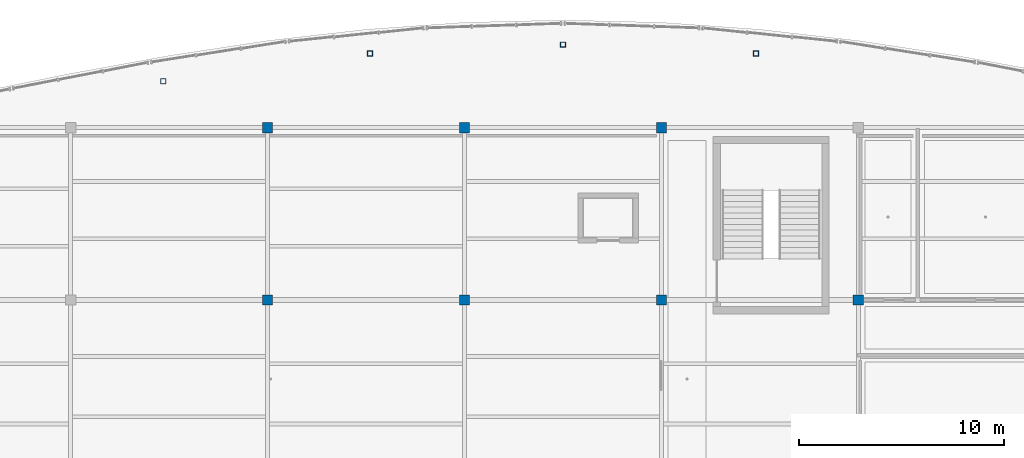
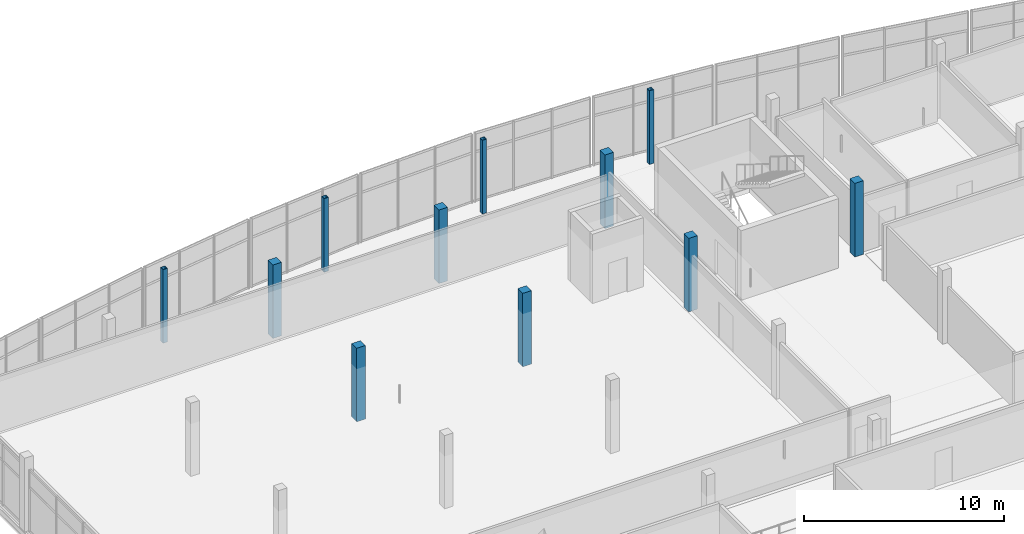
# One storey, part 11 of 114: 11 columns.
"""IFC4 building model written with IfcOpenShell, lengths in metres."""

from ifc_helpers import new_model, si_unit, direction, frame, origin, origin_2d, place, context, subcontext, project, spatial, rectangle, hollow_rectangle, extrude, material, material_profile, profile_set, type_object, element, save


model = new_model("IFC4")

# Units and contexts
model_context = context("Model", 3, precision=1e-05, world=origin(), true_north=direction((0.0, 1.0)))
body_context = subcontext(model_context, "Body", "Model", "MODEL_VIEW")
ifc_project = project(units=[si_unit("LENGTHUNIT", "METRE"), si_unit("AREAUNIT", "SQUARE_METRE"), si_unit("VOLUMEUNIT", "CUBIC_METRE"), si_unit("PLANEANGLEUNIT", "RADIAN"), si_unit("MASSUNIT", "GRAM", prefix="KILO")], contexts=[model_context])

# Site, building, storey
site_placement = place(None, origin())
site = spatial("IfcSite", under=ifc_project, at=site_placement, CompositionType="ELEMENT")
building_placement = place(site_placement, origin())
building = spatial("IfcBuilding", under=site, at=building_placement, Name="Chalmorin Arch Market", CompositionType="ELEMENT")
storey_placement = place(building_placement, frame((0.0, 0.0, 9.60009765625)))
storey = spatial("IfcBuildingStorey", under=building, at=storey_placement, Name="L02", CompositionType="ELEMENT", Elevation=9.60009765625)

# Columns
ifc_material_1 = material(Name="Steel A500 Grade C", Category="steel")
ifc_material_profile_1 = material_profile(ifc_material_1, hollow_rectangle(XDim=0.25390625, YDim=0.25390625, WallThickness=0.01171875, at=origin_2d()), Name="HSS10X10X1/2")
ifc_profile_set_1 = profile_set([ifc_material_profile_1], Name="Steel A500 Grade C")
column_type_1 = type_object("IfcColumnType", Name="SteelTubeColumn-HSS10X10", PredefinedType="COLUMN", material=ifc_profile_set_1)
for number, where, z_axis, x_axis, name in (
    (1, (62.112060546875, 120.26904296875, 0.0), (0.0, 0.0, 1.0), (1.0, 0.0, 0.0), "C-HS2-706"),
    (2, (72.19189453125, 121.612060546875, 0.0), (0.0, 0.0, 1.0), (1.0, 0.0, 0.0), "C-HS2-714"),
    (3, (81.60009765625, 122.050048828125, 0.0), (0.0, 0.0, 1.0), (1.0, 0.0, 0.0), "C-HS2-722"),
    (4, (91.008056640625, 121.612060546875, 0.0), (0.0, 0.0, 1.0), (1.0, 0.0, 0.0), "C-HS2-730"),
):
    element("IfcColumn", number, at=place(storey_placement, frame(where, z_axis=z_axis, x_axis=x_axis)), inside=storey, type_object=column_type_1, Name=name, PredefinedType="COLUMN", context=body_context, shape_type="SweptSolid", body=[
        extrude(hollow_rectangle(XDim=0.25390625, YDim=0.25390625, WallThickness=0.01171875, at=origin_2d()), origin(), (0.0, 0.0, 1.0), 4.5),
    ])
ifc_material_2 = material(Name="Concrete C40/50", Category="concrete")
ifc_material_profile_2 = material_profile(ifc_material_2, rectangle(XDim=0.5, YDim=0.5, at=origin_2d()), Name="RC500X500")
ifc_profile_set_2 = profile_set([ifc_material_profile_2], Name="Concrete C40/50")
column_type_2 = type_object("IfcColumnType", Name="UpperConcreteColumn-500x500", PredefinedType="COLUMN", material=ifc_profile_set_2)
for number, where, z_axis, x_axis, name in (
    (5, (67.199951171875, 109.60009765625, 0.0), (0.0, 0.0, 1.0), (1.0, 0.0, 0.0), "C-RC3-358"),
    (6, (67.199951171875, 118.0, 0.0), (0.0, 0.0, 1.0), (1.0, 0.0, 0.0), "C-RC3-363"),
    (7, (76.800048828125, 109.60009765625, 0.0), (0.0, 0.0, 1.0), (1.0, 0.0, 0.0), "C-RC3-413"),
    (8, (76.800048828125, 118.0, 0.0), (0.0, 0.0, 1.0), (1.0, 0.0, 0.0), "C-RC3-418"),
    (9, (86.39990234375, 109.60009765625, 0.0), (0.0, 0.0, 1.0), (1.0, 0.0, 0.0), "C-RC3-468"),
    (10, (86.39990234375, 118.0, 0.0), (0.0, 0.0, 1.0), (1.0, 0.0, 0.0), "C-RC3-473"),
    (11, (96.0, 109.60009765625, 0.0), (0.0, 0.0, 1.0), (1.0, 0.0, 0.0), "C-RC3-523"),
):
    element("IfcColumn", number, at=place(storey_placement, frame(where, z_axis=z_axis, x_axis=x_axis)), inside=storey, type_object=column_type_2, Name=name, PredefinedType="COLUMN", context=body_context, shape_type="SweptSolid", body=[
        extrude(rectangle(XDim=0.5, YDim=0.5, at=origin_2d()), origin(), (0.0, 0.0, 1.0), 4.5),
    ])

save(model, "model.ifc")
